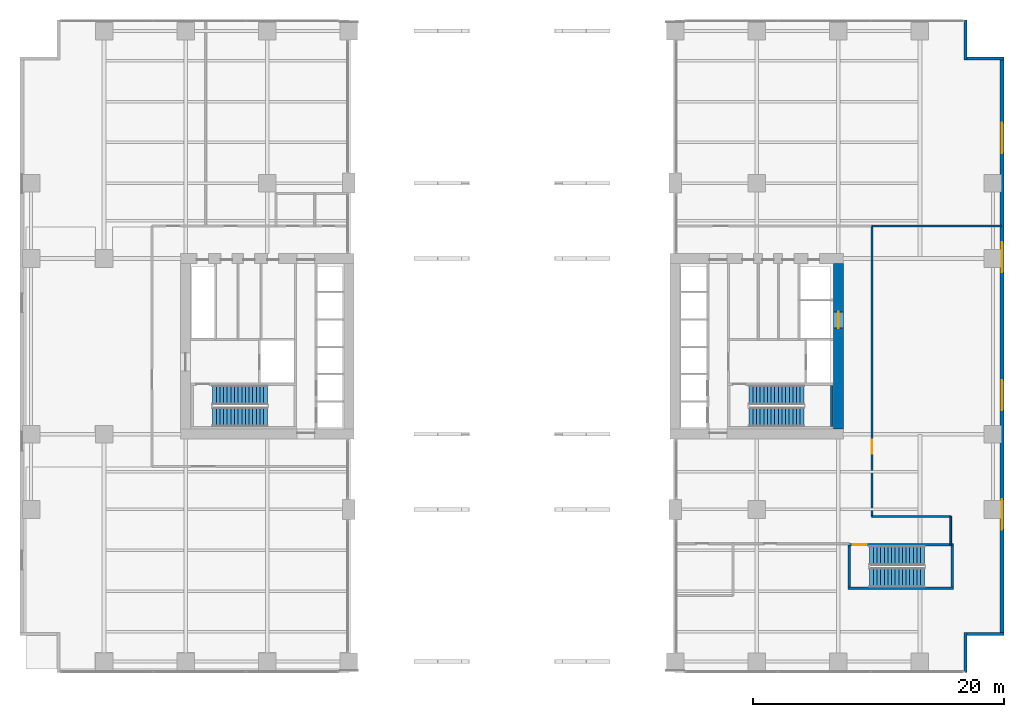
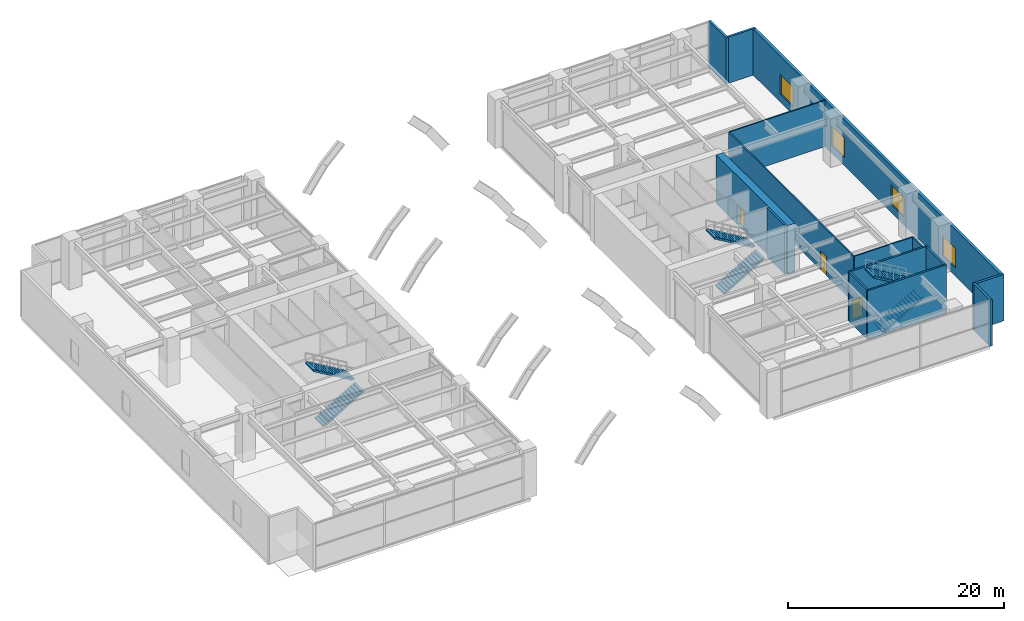
# One storey, part 13 of 18: 15 walls, 6 stair flights, 4 windows, 3 doors, 7 openings, 3 elements without a shape of their own.
"""IFC4 building model written with IfcOpenShell, lengths in metres."""

from ifc_helpers import new_model, si_unit, direction, frame, frame_2d, origin, place, context, subcontext, project, spatial, polyline, rectangle, outline, extrude, material, layer, layer_set, type_object, element, fill, aggregate, save


model = new_model("IFC4")

# Units and contexts
model_context = context("Model", 3, precision=1e-05, world=origin(), true_north=direction((0.0, 1.0)))
body_context = subcontext(model_context, "Body", "Model", "MODEL_VIEW")
ifc_project = project(units=[si_unit("LENGTHUNIT", "METRE"), si_unit("AREAUNIT", "SQUARE_METRE"), si_unit("VOLUMEUNIT", "CUBIC_METRE"), si_unit("PLANEANGLEUNIT", "RADIAN"), si_unit("MASSUNIT", "GRAM", prefix="KILO")], contexts=[model_context])

# Site, building, storey
site_placement = place(None, origin())
site = spatial("IfcSite", under=ifc_project, at=site_placement, CompositionType="ELEMENT")
building_placement = place(site_placement, origin())
building = spatial("IfcBuilding", under=site, at=building_placement, Name="Putna Gate Headquarters", CompositionType="ELEMENT")
storey_placement = place(building_placement, frame((0.0, 0.0, 11.5)))
storey = spatial("IfcBuildingStorey", under=building, at=storey_placement, Name="L02", CompositionType="ELEMENT", Elevation=11.5)

# Wall, opening, door
ifc_material_1 = material(Name="Concrete C60/75", Category="concrete")
ifc_layer_1 = layer(ifc_material_1, 0.800048828125)
ifc_layer_set_1 = layer_set([ifc_layer_1], Name="Concrete C60/75")
wall_type_1 = type_object("IfcWallType", Name="WALL-CORE-800", PredefinedType="SHEAR", material=ifc_layer_set_1)
wall_1_placement = place(storey_placement, frame((65.0, 19.39990234375, 0.0), z_axis=(0.0, 0.0, 1.0), x_axis=(0.0, 1.0, 0.0)))
wall_1 = element("IfcWall", 1, at=wall_1_placement, inside=storey, type_object=wall_type_1, Name="L02 EC Split Core Shear Wall E", PredefinedType="SHEAR", context=body_context, shape_type="SweptSolid", body=[
    extrude(rectangle(XDim=13.2001953125, YDim=0.800048828125, at=frame_2d((6.60009765625, 0.0))), origin(), (0.0, 0.0, 1.0), 5.5),
])
opening_1_placement = place(wall_1_placement, frame((8.050048828125, 0.0, 0.0)))
opening_1 = element("IfcOpeningElement", 2, at=opening_1_placement, cuts=wall_1, Name="Opening LD-2", PredefinedType="OPENING", context=body_context, shape_type="SweptSolid", body=[
    extrude(rectangle(XDim=1.300048828125, YDim=2.199951171875, at=frame_2d((0.64990234375, 1.10009765625))), frame((0.0, 0.409912109375, 0.0), z_axis=(0.0, -1.0, 0.0), x_axis=(1.0, 0.0, 0.0)), (0.0, 0.0, 1.0), 0.820068359375),
])
ifc_material_2 = material(Name="Heavy-duty goods lift sliding landing door")
door_type_1 = type_object("IfcDoorType", Name="DOOR-LIFT-1300", OperationType="DOUBLE_DOOR_SLIDING", PredefinedType="DOOR", material=ifc_material_2)
door_1_placement = place(opening_1_placement, origin())
door_1 = element("IfcDoor", 3, at=door_1_placement, inside=storey, type_object=door_type_1, Name="L02 Goods Lift Landing Door LD-15", OperationType="DOUBLE_DOOR_SLIDING", OverallHeight=2.199951171875, OverallWidth=1.300048828125, PredefinedType="DOOR", context=body_context, shape_type="SweptSolid", body=[
    extrude(rectangle(XDim=1.300048828125, YDim=2.199951171875, at=frame_2d((0.64990234375, 1.10009765625))), frame((0.0, 0.02490234375, 0.0), z_axis=(0.0, -1.0, 0.0), x_axis=(1.0, 0.0, 0.0)), (0.0, 0.0, 1.0), 0.050048828125),
])
fill(opening_1, door_1)

# Wall, openings, windows
ifc_material_3 = material(Name="Precast concrete C40/50", Category="concrete")
ifc_layer_2 = layer(ifc_material_3, 0.300048828125)
ifc_layer_set_2 = layer_set([ifc_layer_2], Name="Precast concrete C40/50")
wall_type_2 = type_object("IfcWallType", Name="WALL-EXT-POD-300", PredefinedType="STANDARD", material=ifc_layer_set_2)
wall_2_placement = place(storey_placement, frame((78.050048828125, 48.800048828125, 0.0), z_axis=(0.0, 0.0, 1.0), x_axis=(0.0, -1.0, 0.0)))
wall_2 = element("IfcWall", 4, at=wall_2_placement, inside=storey, type_object=wall_type_2, Name="L02 E Podium Precast Facade Wall", PredefinedType="STANDARD", context=body_context, shape_type="SweptSolid", body=[
    extrude(rectangle(XDim=45.60009765625, YDim=0.300048828125, at=frame_2d((22.800048828125, 0.0))), origin(), (0.0, 0.0, 1.0), 5.219970703125),
])
opening_2_placement = place(wall_2_placement, frame((5.0, 0.0, 0.89990234375)))
opening_2 = element("IfcOpeningElement", 5, at=opening_2_placement, cuts=wall_2, Name="Opening WN-3", PredefinedType="OPENING", context=body_context, shape_type="SweptSolid", body=[
    extrude(rectangle(XDim=2.39990234375, YDim=2.199951171875, at=frame_2d((1.199951171875, 1.10009765625))), frame((0.0, 0.159912109375, 0.0), z_axis=(0.0, -1.0, 0.0), x_axis=(1.0, 0.0, 0.0)), (0.0, 0.0, 1.0), 0.320068359375),
])
opening_3_placement = place(wall_2_placement, frame((14.5, 0.0, 0.89990234375)))
opening_3 = element("IfcOpeningElement", 6, at=opening_3_placement, cuts=wall_2, Name="Opening WN-3", PredefinedType="OPENING", context=body_context, shape_type="SweptSolid", body=[
    extrude(rectangle(XDim=2.39990234375, YDim=2.199951171875, at=frame_2d((1.199951171875, 1.10009765625))), frame((0.0, 0.159912109375, 0.0), z_axis=(0.0, -1.0, 0.0), x_axis=(1.0, 0.0, 0.0)), (0.0, 0.0, 1.0), 0.320068359375),
])
opening_4_placement = place(wall_2_placement, frame((25.5, 0.0, 0.89990234375)))
opening_4 = element("IfcOpeningElement", 7, at=opening_4_placement, cuts=wall_2, Name="Opening WN-3", PredefinedType="OPENING", context=body_context, shape_type="SweptSolid", body=[
    extrude(rectangle(XDim=2.39990234375, YDim=2.199951171875, at=frame_2d((1.199951171875, 1.10009765625))), frame((0.0, 0.159912109375, 0.0), z_axis=(0.0, -1.0, 0.0), x_axis=(1.0, 0.0, 0.0)), (0.0, 0.0, 1.0), 0.320068359375),
])
opening_5_placement = place(wall_2_placement, frame((35.0, 0.0, 0.89990234375)))
opening_5 = element("IfcOpeningElement", 8, at=opening_5_placement, cuts=wall_2, Name="Opening WN-3", PredefinedType="OPENING", context=body_context, shape_type="SweptSolid", body=[
    extrude(rectangle(XDim=2.39990234375, YDim=2.199951171875, at=frame_2d((1.199951171875, 1.10009765625))), frame((0.0, 0.159912109375, 0.0), z_axis=(0.0, -1.0, 0.0), x_axis=(1.0, 0.0, 0.0)), (0.0, 0.0, 1.0), 0.320068359375),
])
ifc_material_4 = material(Name="Triple low-E insulated glazing in bronze aluminium frame", Category="aluminium")
window_type = type_object("IfcWindowType", Name="WIN-EXT-2400x2200", PartitioningType="SINGLE_PANEL", PredefinedType="WINDOW", material=ifc_material_4)
window_1_placement = place(opening_2_placement, origin())
window_1 = element("IfcWindow", 9, at=window_1_placement, inside=storey, type_object=window_type, Name="L02 E Vision Window 1", OverallHeight=2.199951171875, OverallWidth=2.39990234375, PartitioningType="SINGLE_PANEL", PredefinedType="WINDOW", context=body_context, shape_type="SweptSolid", body=[
    extrude(rectangle(XDim=2.39990234375, YDim=2.199951171875, at=frame_2d((1.199951171875, 1.10009765625))), frame((0.0, 0.030029296875, 0.0), z_axis=(0.0, -1.0, 0.0), x_axis=(1.0, 0.0, 0.0)), (0.0, 0.0, 1.0), 0.06005859375),
])
fill(opening_2, window_1)
window_2_placement = place(opening_3_placement, origin())
window_2 = element("IfcWindow", 10, at=window_2_placement, inside=storey, type_object=window_type, Name="L02 E Vision Window 2", OverallHeight=2.199951171875, OverallWidth=2.39990234375, PartitioningType="SINGLE_PANEL", PredefinedType="WINDOW", context=body_context, shape_type="SweptSolid", body=[
    extrude(rectangle(XDim=2.39990234375, YDim=2.199951171875, at=frame_2d((1.199951171875, 1.10009765625))), frame((0.0, 0.030029296875, 0.0), z_axis=(0.0, -1.0, 0.0), x_axis=(1.0, 0.0, 0.0)), (0.0, 0.0, 1.0), 0.06005859375),
])
fill(opening_3, window_2)
window_3_placement = place(opening_4_placement, origin())
window_3 = element("IfcWindow", 11, at=window_3_placement, inside=storey, type_object=window_type, Name="L02 E Vision Window 3", OverallHeight=2.199951171875, OverallWidth=2.39990234375, PartitioningType="SINGLE_PANEL", PredefinedType="WINDOW", context=body_context, shape_type="SweptSolid", body=[
    extrude(rectangle(XDim=2.39990234375, YDim=2.199951171875, at=frame_2d((1.199951171875, 1.10009765625))), frame((0.0, 0.030029296875, 0.0), z_axis=(0.0, -1.0, 0.0), x_axis=(1.0, 0.0, 0.0)), (0.0, 0.0, 1.0), 0.06005859375),
])
fill(opening_4, window_3)
window_4_placement = place(opening_5_placement, origin())
window_4 = element("IfcWindow", 12, at=window_4_placement, inside=storey, type_object=window_type, Name="L02 E Vision Window 4", OverallHeight=2.199951171875, OverallWidth=2.39990234375, PartitioningType="SINGLE_PANEL", PredefinedType="WINDOW", context=body_context, shape_type="SweptSolid", body=[
    extrude(rectangle(XDim=2.39990234375, YDim=2.199951171875, at=frame_2d((1.199951171875, 1.10009765625))), frame((0.0, 0.030029296875, 0.0), z_axis=(0.0, -1.0, 0.0), x_axis=(1.0, 0.0, 0.0)), (0.0, 0.0, 1.0), 0.06005859375),
])
fill(opening_5, window_4)

# Walls
ifc_layer_3 = layer(ifc_material_3, 0.239990234375)
ifc_layer_set_3 = layer_set([ifc_layer_3], Name="Precast concrete C40/50")
wall_type_3 = type_object("IfcWallType", Name="WALL-EXT-TERR-240", PredefinedType="STANDARD", material=ifc_layer_set_3)
for number, where, z_axis, x_axis, name in (
    (13, (75.1201171875, 52.0, 0.0), (0.0, 0.0, 1.0), (0.0, -1.0, 0.0), "L02 Corner Notch Return Wall NE-V"),
    (14, (75.0, 48.919921875, 0.0), (0.0, 0.0, 1.0), (1.0, 0.0, 0.0), "L02 Corner Notch Return Wall NE-H"),
    (15, (75.1201171875, 3.199951171875, 0.0), (0.0, 0.0, 1.0), (0.0, -1.0, 0.0), "L02 Corner Notch Return Wall SE-V"),
    (16, (78.199951171875, 3.080078125, 0.0), (0.0, 0.0, 1.0), (-1.0, 0.0, 0.0), "L02 Corner Notch Return Wall SE-H"),
):
    element("IfcWall", number, at=place(storey_placement, frame(where, z_axis=z_axis, x_axis=x_axis)), inside=storey, type_object=wall_type_3, Name=name, PredefinedType="STANDARD", context=body_context, shape_type="SweptSolid", body=[
        extrude(rectangle(XDim=3.199951171875, YDim=0.239990234375, at=frame_2d((1.60009765625, 0.0))), origin(), (0.0, 0.0, 1.0), 5.219970703125),
    ])
ifc_material_5 = material(Name="Fire-rated gypsum board on metal stud")
ifc_layer_4 = layer(ifc_material_5, 0.139892578125)
ifc_layer_set_4 = layer_set([ifc_layer_4], Name="Fire-rated gypsum board on metal stud")
wall_type_4 = type_object("IfcWallType", Name="WALL-PART-140", PredefinedType="PARTITIONING", material=ifc_layer_set_4)
wall_3_placement = place(storey_placement, frame((73.949951171875, 10.18994140625, 0.0), z_axis=(0.0, 0.0, 1.0), x_axis=(0.0, 1.0, 0.0)))
element("IfcWall", 17, at=wall_3_placement, inside=storey, type_object=wall_type_4, Name="L02 Interior Wall PART-L02-ESCAP", PredefinedType="PARTITIONING", context=body_context, shape_type="SweptSolid", body=[
    extrude(rectangle(XDim=2.260009765625, YDim=0.139892578125, at=frame_2d((1.1298828125, 0.0))), origin(), (0.0, 0.0, 1.0), 5.219970703125),
])
wall_4_placement = place(storey_placement, frame((67.679931640625, 12.449951171875, 0.0), z_axis=(0.0, 0.0, 1.0), x_axis=(1.0, 0.0, 0.0)))
element("IfcWall", 18, at=wall_4_placement, inside=storey, type_object=wall_type_4, Name="L02 Interior Wall PART-L02-ESN", PredefinedType="PARTITIONING", context=body_context, shape_type="SweptSolid", body=[
    extrude(rectangle(XDim=6.27001953125, YDim=0.139892578125, at=frame_2d((3.135009765625, 0.0))), origin(), (0.0, 0.0, 1.0), 5.219970703125),
])
wall_5_placement = place(storey_placement, frame((67.679931640625, 35.580078125, 0.0), z_axis=(0.0, 0.0, 1.0), x_axis=(1.0, 0.0, 0.0)))
element("IfcWall", 19, at=wall_5_placement, inside=storey, type_object=wall_type_4, Name="L02 Interior Wall PART-L02-EN-CAPE", PredefinedType="PARTITIONING", context=body_context, shape_type="SweptSolid", body=[
    extrude(rectangle(XDim=10.320068359375, YDim=0.139892578125, at=frame_2d((5.16015625, 0.0))), origin(), (0.0, 0.0, 1.0), 5.219970703125),
])

# Wall, opening, door
wall_6_placement = place(storey_placement, frame((67.679931640625, 12.449951171875, 0.0), z_axis=(0.0, 0.0, 1.0), x_axis=(0.0, 1.0, 0.0)))
wall_6 = element("IfcWall", 20, at=wall_6_placement, inside=storey, type_object=wall_type_4, Name="L02 Interior Wall PART-L02-EC1", PredefinedType="PARTITIONING", context=body_context, shape_type="SweptSolid", body=[
    extrude(rectangle(XDim=23.130126953125, YDim=0.139892578125, at=frame_2d((11.56494140625, 0.0))), origin(), (0.0, 0.0, 1.0), 5.219970703125),
])
opening_6_placement = place(wall_6_placement, frame((5.0, 0.0, 0.0)))
opening_6 = element("IfcOpeningElement", 21, at=opening_6_placement, cuts=wall_6, Name="Opening IDS-110", PredefinedType="OPENING", context=body_context, shape_type="SweptSolid", body=[
    extrude(rectangle(XDim=1.10009765625, YDim=2.14990234375, at=frame_2d((0.550048828125, 1.074951171875))), frame((0.0, 0.079833984375, 0.0), z_axis=(0.0, -1.0, 0.0), x_axis=(1.0, 0.0, 0.0)), (0.0, 0.0, 1.0), 0.159912109375),
])
ifc_material_6 = material(Name="Fire-rated meeting room door")
door_type_2 = type_object("IfcDoorType", Name="DOOR-INT-1100", OperationType="NOTDEFINED", PredefinedType="DOOR", material=ifc_material_6)
door_2_placement = place(opening_6_placement, origin())
door_2 = element("IfcDoor", 22, at=door_2_placement, inside=storey, type_object=door_type_2, Name="L02 Training Seminar Hall Door", OperationType="SINGLE_SWING_LEFT", OverallHeight=2.14990234375, OverallWidth=1.10009765625, PredefinedType="DOOR", context=body_context, shape_type="SweptSolid", body=[
    extrude(rectangle(XDim=1.10009765625, YDim=2.14990234375, at=frame_2d((0.550048828125, 1.074951171875))), frame((0.0, 0.02490234375, 0.0), z_axis=(0.0, -1.0, 0.0), x_axis=(1.0, 0.0, 0.0)), (0.0, 0.0, 1.0), 0.050048828125),
])
fill(opening_6, door_2)

# Walls
ifc_material_7 = material(Name="Concrete C40/50", Category="concrete")
ifc_layer_5 = layer(ifc_material_7, 0.199951171875)
ifc_layer_set_5 = layer_set([ifc_layer_5], Name="Concrete C40/50")
wall_type_5 = type_object("IfcWallType", Name="WALL-SHAFT-RC200", PredefinedType="SHEAR", material=ifc_layer_set_5)
wall_7_placement = place(storey_placement, frame((64.489990234375, 19.610107421875, 0.0), z_axis=(0.0, 0.0, 1.0), x_axis=(0.0, 1.0, 0.0)))
element("IfcWall", 23, at=wall_7_placement, inside=storey, type_object=wall_type_5, Name="L02 Stair ST2 Structural Shaft Wall E", PredefinedType="SHEAR", context=body_context, shape_type="SweptSolid", body=[
    extrude(rectangle(XDim=3.27978515625, YDim=0.199951171875, at=frame_2d((1.639892578125, 0.0))), origin(), (0.0, 0.0, 1.0), 5.5),
])
wall_8_placement = place(storey_placement, frame((65.760009765625, 6.7099609375, 0.0), z_axis=(0.0, 0.0, 1.0), x_axis=(1.0, 0.0, 0.0)))
element("IfcWall", 24, at=wall_8_placement, inside=storey, type_object=wall_type_5, Name="L02 Stair ST3 Structural Shaft Wall S", PredefinedType="SHEAR", context=body_context, shape_type="SweptSolid", body=[
    extrude(rectangle(XDim=8.429931640625, YDim=0.199951171875, at=frame_2d((4.21484375, 0.0))), origin(), (0.0, 0.0, 1.0), 5.5),
])

# Wall, opening, door
wall_9_placement = place(storey_placement, frame((65.760009765625, 10.18994140625, 0.0), z_axis=(0.0, 0.0, 1.0), x_axis=(1.0, 0.0, 0.0)))
wall_9 = element("IfcWall", 25, at=wall_9_placement, inside=storey, type_object=wall_type_5, Name="L02 Stair ST3 Structural Shaft Wall N", PredefinedType="SHEAR", context=body_context, shape_type="SweptSolid", body=[
    extrude(rectangle(XDim=8.429931640625, YDim=0.199951171875, at=frame_2d((4.21484375, 0.0))), origin(), (0.0, 0.0, 1.0), 5.5),
])
opening_7_placement = place(wall_9_placement, frame((0.39990234375, 0.0, 0.0)))
opening_7 = element("IfcOpeningElement", 26, at=opening_7_placement, cuts=wall_9, Name="Opening FD-110", PredefinedType="OPENING", context=body_context, shape_type="SweptSolid", body=[
    extrude(rectangle(XDim=1.10009765625, YDim=2.14990234375, at=frame_2d((0.550048828125, 1.074951171875))), frame((0.0, 0.10986328125, 0.0), z_axis=(0.0, -1.0, 0.0), x_axis=(1.0, 0.0, 0.0)), (0.0, 0.0, 1.0), 0.219970703125),
])
ifc_material_8 = material(Name="Powder-coated steel fire door", Category="steel")
door_type_3 = type_object("IfcDoorType", Name="DOOR-FIRE-1100", OperationType="NOTDEFINED", PredefinedType="DOOR", material=ifc_material_8)
door_3_placement = place(opening_7_placement, origin())
door_3 = element("IfcDoor", 27, at=door_3_placement, inside=storey, type_object=door_type_3, Name="L02 Escape Stair ST3 Door", OperationType="SINGLE_SWING_RIGHT", OverallHeight=2.14990234375, OverallWidth=1.10009765625, PredefinedType="DOOR", context=body_context, shape_type="SweptSolid", body=[
    extrude(rectangle(XDim=1.10009765625, YDim=2.14990234375, at=frame_2d((0.550048828125, 1.074951171875))), frame((0.0, 0.02490234375, 0.0), z_axis=(0.0, -1.0, 0.0), x_axis=(1.0, 0.0, 0.0)), (0.0, 0.0, 1.0), 0.050048828125),
])
fill(opening_7, door_3)

# Walls
for number, where, z_axis, x_axis, name in (
    (28, (65.860107421875, 6.81005859375, 0.0), (0.0, 0.0, 1.0), (0.0, 1.0, 0.0), "L02 Stair ST3 Structural Shaft Wall W"),
    (29, (74.090087890625, 6.81005859375, 0.0), (0.0, 0.0, 1.0), (0.0, 1.0, 0.0), "L02 Stair ST3 Structural Shaft Wall E"),
):
    element("IfcWall", number, at=place(storey_placement, frame(where, z_axis=z_axis, x_axis=x_axis)), inside=storey, type_object=wall_type_5, Name=name, PredefinedType="SHEAR", context=body_context, shape_type="SweptSolid", body=[
        extrude(rectangle(XDim=3.280029296875, YDim=0.199951171875, at=frame_2d((1.64013671875, 0.0))), origin(), (0.0, 0.0, 1.0), 5.5),
    ])

# Stair, stair flights
stair_type_1 = type_object("IfcStairType", Name="STAIR-ST1", PredefinedType="HALF_TURN_STAIR", material=ifc_material_7)
stair_1_placement = place(storey_placement, origin())
stair_1 = element("IfcStair", 30, at=stair_1_placement, inside=storey, type_object=stair_type_1, Name="L02 West Core Exit Stair ST1", PredefinedType="HALF_TURN_STAIR")
stair_flight_type_1 = type_object("IfcStairFlightType", Name="FLIGHT-ST1", PredefinedType="STRAIGHT", material=ifc_material_7)
stair_flight_1_placement = place(storey_placement, frame((15.14990234375, 20.375, 0.0), z_axis=(0.0, 0.0, 1.0), x_axis=(1.0, 0.0, 0.0)))
stair_flight_1 = element("IfcStairFlight", 31, at=stair_flight_1_placement, type_object=stair_flight_type_1, Name="ST1 flight 1", NumberOfRisers=16, NumberOfTreads=15, PredefinedType="STRAIGHT", RiserHeight=0.171875, TreadLength=0.29, context=body_context, shape_type="SweptSolid", body=[
    extrude(outline(polyline([(0.0, 0.0), (0.0, 0.171875), (0.2900390625, 0.171875), (0.2900390625, 0.34375), (0.580078125, 0.34375), (0.580078125, 0.515625), (0.8701171875, 0.515625), (0.8701171875, 0.6875), (1.159912109375, 0.6875), (1.159912109375, 0.859375), (1.449951171875, 0.859375), (1.449951171875, 1.03125), (1.739990234375, 1.03125), (1.739990234375, 1.203125), (2.030029296875, 1.203125), (2.030029296875, 1.375), (2.320068359375, 1.375), (2.320068359375, 1.546875), (2.610107421875, 1.546875), (2.610107421875, 1.71875), (2.89990234375, 1.71875), (2.89990234375, 1.890625), (3.18994140625, 1.890625), (3.18994140625, 2.0625), (3.47998046875, 2.0625), (3.47998046875, 2.234375), (3.77001953125, 2.234375), (3.77001953125, 2.40625), (4.06005859375, 2.40625), (4.06005859375, 2.578125), (4.35009765625, 2.578125), (4.35009765625, 2.75), (4.35009765625, 2.40380859375), (0.2939453125, 0.0), (0.0, 0.0)])), frame((0.0, 0.77490234375, 0.0), z_axis=(0.0, -1.0, 0.0), x_axis=(1.0, 0.0, 0.0)), (0.0, 0.0, 1.0), 1.550048828125),
])
stair_flight_2_placement = place(storey_placement, frame((19.5, 22.125, 2.75), z_axis=(0.0, 0.0, 1.0), x_axis=(-1.0, 0.0, 0.0)))
stair_flight_2 = element("IfcStairFlight", 32, at=stair_flight_2_placement, type_object=stair_flight_type_1, Name="ST1 flight 2", NumberOfRisers=16, NumberOfTreads=15, PredefinedType="STRAIGHT", RiserHeight=0.171875, TreadLength=0.29, context=body_context, shape_type="SweptSolid", body=[
    extrude(outline(polyline([(0.0, 0.0), (0.0, 0.171875), (0.2900390625, 0.171875), (0.2900390625, 0.34375), (0.580078125, 0.34375), (0.580078125, 0.515625), (0.8701171875, 0.515625), (0.8701171875, 0.6875), (1.159912109375, 0.6875), (1.159912109375, 0.859375), (1.449951171875, 0.859375), (1.449951171875, 1.03125), (1.739990234375, 1.03125), (1.739990234375, 1.203125), (2.030029296875, 1.203125), (2.030029296875, 1.375), (2.320068359375, 1.375), (2.320068359375, 1.546875), (2.610107421875, 1.546875), (2.610107421875, 1.71875), (2.89990234375, 1.71875), (2.89990234375, 1.890625), (3.18994140625, 1.890625), (3.18994140625, 2.0625), (3.47998046875, 2.0625), (3.47998046875, 2.234375), (3.77001953125, 2.234375), (3.77001953125, 2.40625), (4.06005859375, 2.40625), (4.06005859375, 2.578125), (4.35009765625, 2.578125), (4.35009765625, 2.75), (4.35009765625, 2.40380859375), (0.2939453125, 0.0), (0.0, 0.0)])), frame((0.0, 0.77490234375, 0.0), z_axis=(0.0, -1.0, 0.0), x_axis=(1.0, 0.0, 0.0)), (0.0, 0.0, 1.0), 1.550048828125),
])
aggregate(stair_1, [stair_flight_1, stair_flight_2])

stair_type_2 = type_object("IfcStairType", Name="STAIR-ST2", PredefinedType="HALF_TURN_STAIR", material=ifc_material_7)
stair_2_placement = place(storey_placement, origin())
stair_2 = element("IfcStair", 33, at=stair_2_placement, inside=storey, type_object=stair_type_2, Name="L02 East Core Exit Stair ST2", PredefinedType="HALF_TURN_STAIR")
stair_flight_type_2 = type_object("IfcStairFlightType", Name="FLIGHT-ST2", PredefinedType="STRAIGHT", material=ifc_material_7)
stair_flight_3_placement = place(storey_placement, frame((57.89990234375, 20.375, 0.0), z_axis=(0.0, 0.0, 1.0), x_axis=(1.0, 0.0, 0.0)))
stair_flight_3 = element("IfcStairFlight", 34, at=stair_flight_3_placement, type_object=stair_flight_type_2, Name="ST2 flight 1", NumberOfRisers=16, NumberOfTreads=15, PredefinedType="STRAIGHT", RiserHeight=0.171875, TreadLength=0.29, context=body_context, shape_type="SweptSolid", body=[
    extrude(outline(polyline([(0.0, 0.0), (0.0, 0.171875), (0.2900390625, 0.171875), (0.2900390625, 0.34375), (0.580078125, 0.34375), (0.580078125, 0.515625), (0.8701171875, 0.515625), (0.8701171875, 0.6875), (1.159912109375, 0.6875), (1.159912109375, 0.859375), (1.449951171875, 0.859375), (1.449951171875, 1.03125), (1.739990234375, 1.03125), (1.739990234375, 1.203125), (2.030029296875, 1.203125), (2.030029296875, 1.375), (2.320068359375, 1.375), (2.320068359375, 1.546875), (2.610107421875, 1.546875), (2.610107421875, 1.71875), (2.89990234375, 1.71875), (2.89990234375, 1.890625), (3.18994140625, 1.890625), (3.18994140625, 2.0625), (3.47998046875, 2.0625), (3.47998046875, 2.234375), (3.77001953125, 2.234375), (3.77001953125, 2.40625), (4.06005859375, 2.40625), (4.06005859375, 2.578125), (4.35009765625, 2.578125), (4.35009765625, 2.75), (4.35009765625, 2.40380859375), (0.2939453125, 0.0), (0.0, 0.0)])), frame((0.0, 0.77490234375, 0.0), z_axis=(0.0, -1.0, 0.0), x_axis=(1.0, 0.0, 0.0)), (0.0, 0.0, 1.0), 1.550048828125),
])
stair_flight_4_placement = place(storey_placement, frame((62.25, 22.125, 2.75), z_axis=(0.0, 0.0, 1.0), x_axis=(-1.0, 0.0, 0.0)))
stair_flight_4 = element("IfcStairFlight", 35, at=stair_flight_4_placement, type_object=stair_flight_type_2, Name="ST2 flight 2", NumberOfRisers=16, NumberOfTreads=15, PredefinedType="STRAIGHT", RiserHeight=0.171875, TreadLength=0.29, context=body_context, shape_type="SweptSolid", body=[
    extrude(outline(polyline([(0.0, 0.0), (0.0, 0.171875), (0.2900390625, 0.171875), (0.2900390625, 0.34375), (0.580078125, 0.34375), (0.580078125, 0.515625), (0.8701171875, 0.515625), (0.8701171875, 0.6875), (1.159912109375, 0.6875), (1.159912109375, 0.859375), (1.449951171875, 0.859375), (1.449951171875, 1.03125), (1.739990234375, 1.03125), (1.739990234375, 1.203125), (2.030029296875, 1.203125), (2.030029296875, 1.375), (2.320068359375, 1.375), (2.320068359375, 1.546875), (2.610107421875, 1.546875), (2.610107421875, 1.71875), (2.89990234375, 1.71875), (2.89990234375, 1.890625), (3.18994140625, 1.890625), (3.18994140625, 2.0625), (3.47998046875, 2.0625), (3.47998046875, 2.234375), (3.77001953125, 2.234375), (3.77001953125, 2.40625), (4.06005859375, 2.40625), (4.06005859375, 2.578125), (4.35009765625, 2.578125), (4.35009765625, 2.75), (4.35009765625, 2.40380859375), (0.2939453125, 0.0), (0.0, 0.0)])), frame((0.0, 0.77490234375, 0.0), z_axis=(0.0, -1.0, 0.0), x_axis=(1.0, 0.0, 0.0)), (0.0, 0.0, 1.0), 1.550048828125),
])
aggregate(stair_2, [stair_flight_3, stair_flight_4])

stair_type_3 = type_object("IfcStairType", Name="STAIR-ST3", PredefinedType="HALF_TURN_STAIR", material=ifc_material_7)
stair_3_placement = place(storey_placement, origin())
stair_3 = element("IfcStair", 36, at=stair_3_placement, inside=storey, type_object=stair_type_3, Name="L02 Podium Escape Stair ST3", PredefinedType="HALF_TURN_STAIR")
stair_flight_type_3 = type_object("IfcStairFlightType", Name="FLIGHT-ST3", PredefinedType="STRAIGHT", material=ifc_material_7)
stair_flight_5_placement = place(storey_placement, frame((67.5, 7.574951171875, 0.0), z_axis=(0.0, 0.0, 1.0), x_axis=(1.0, 0.0, 0.0)))
stair_flight_5 = element("IfcStairFlight", 37, at=stair_flight_5_placement, type_object=stair_flight_type_3, Name="ST3 flight 1", NumberOfRisers=16, NumberOfTreads=15, PredefinedType="STRAIGHT", RiserHeight=0.171875, TreadLength=0.29, context=body_context, shape_type="SweptSolid", body=[
    extrude(outline(polyline([(0.0, 0.0), (0.0, 0.171875), (0.2900390625, 0.171875), (0.2900390625, 0.34375), (0.580078125, 0.34375), (0.580078125, 0.515625), (0.8701171875, 0.515625), (0.8701171875, 0.6875), (1.159912109375, 0.6875), (1.159912109375, 0.859375), (1.449951171875, 0.859375), (1.449951171875, 1.03125), (1.739990234375, 1.03125), (1.739990234375, 1.203125), (2.030029296875, 1.203125), (2.030029296875, 1.375), (2.320068359375, 1.375), (2.320068359375, 1.546875), (2.610107421875, 1.546875), (2.610107421875, 1.71875), (2.89990234375, 1.71875), (2.89990234375, 1.890625), (3.18994140625, 1.890625), (3.18994140625, 2.0625), (3.47998046875, 2.0625), (3.47998046875, 2.234375), (3.77001953125, 2.234375), (3.77001953125, 2.40625), (4.06005859375, 2.40625), (4.06005859375, 2.578125), (4.35009765625, 2.578125), (4.35009765625, 2.75), (4.35009765625, 2.40380859375), (0.2939453125, 0.0), (0.0, 0.0)])), frame((0.0, 0.77490234375, 0.0), z_axis=(0.0, -1.0, 0.0), x_axis=(1.0, 0.0, 0.0)), (0.0, 0.0, 1.0), 1.550048828125),
])
stair_flight_6_placement = place(storey_placement, frame((71.85009765625, 9.324951171875, 2.75), z_axis=(0.0, 0.0, 1.0), x_axis=(-1.0, 0.0, 0.0)))
stair_flight_6 = element("IfcStairFlight", 38, at=stair_flight_6_placement, type_object=stair_flight_type_3, Name="ST3 flight 2", NumberOfRisers=16, NumberOfTreads=15, PredefinedType="STRAIGHT", RiserHeight=0.171875, TreadLength=0.29, context=body_context, shape_type="SweptSolid", body=[
    extrude(outline(polyline([(0.0, 0.0), (0.0, 0.171875), (0.2900390625, 0.171875), (0.2900390625, 0.34375), (0.580078125, 0.34375), (0.580078125, 0.515625), (0.8701171875, 0.515625), (0.8701171875, 0.6875), (1.159912109375, 0.6875), (1.159912109375, 0.859375), (1.449951171875, 0.859375), (1.449951171875, 1.03125), (1.739990234375, 1.03125), (1.739990234375, 1.203125), (2.030029296875, 1.203125), (2.030029296875, 1.375), (2.320068359375, 1.375), (2.320068359375, 1.546875), (2.610107421875, 1.546875), (2.610107421875, 1.71875), (2.89990234375, 1.71875), (2.89990234375, 1.890625), (3.18994140625, 1.890625), (3.18994140625, 2.0625), (3.47998046875, 2.0625), (3.47998046875, 2.234375), (3.77001953125, 2.234375), (3.77001953125, 2.40625), (4.06005859375, 2.40625), (4.06005859375, 2.578125), (4.35009765625, 2.578125), (4.35009765625, 2.75), (4.35009765625, 2.40380859375), (0.2939453125, 0.0), (0.0, 0.0)])), frame((0.0, 0.77490234375, 0.0), z_axis=(0.0, -1.0, 0.0), x_axis=(1.0, 0.0, 0.0)), (0.0, 0.0, 1.0), 1.550048828125),
])
aggregate(stair_3, [stair_flight_5, stair_flight_6])

save(model, "model.ifc")
